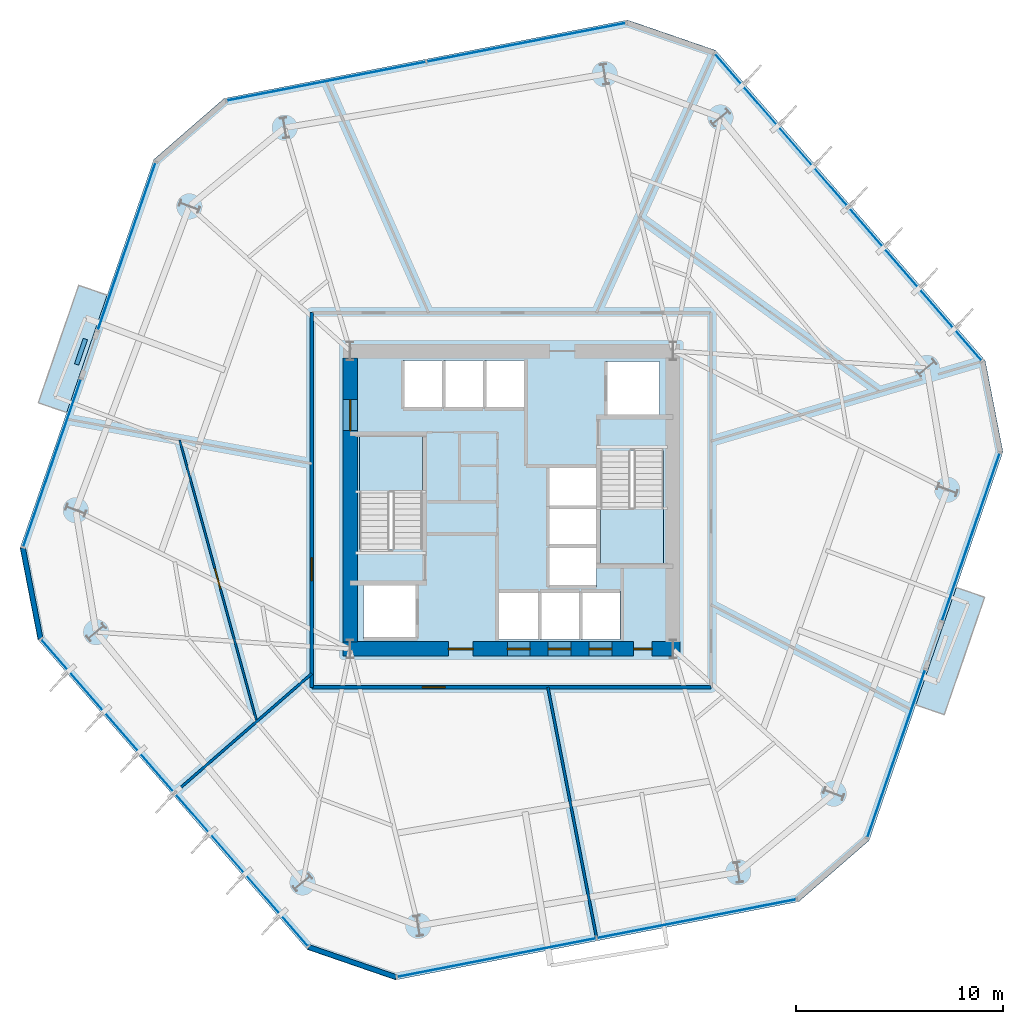
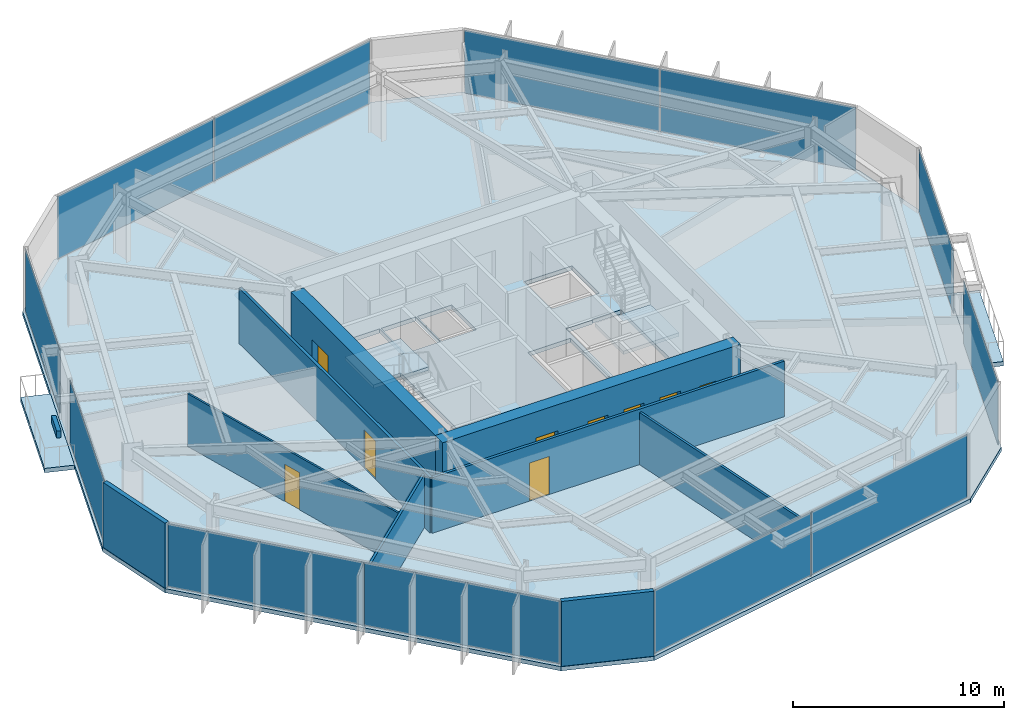
# One storey, part 5 of 10: 12 plates, 10 walls, 9 doors, 5 slabs, 9 openings, 10 elements without a shape of their own.
"""IFC4 building model written with IfcOpenShell, lengths in metres."""

from ifc_helpers import new_model, si_unit, direction, frame, frame_2d, origin, origin_2d, place, context, subcontext, project, spatial, polyline, rectangle, outline, extrude, material, layer, layer_set, type_object, element, fill, aggregate, save


model = new_model("IFC4")

# Units and contexts
model_context = context("Model", 3, precision=1e-05, world=origin(), true_north=direction((0.0, 1.0)))
body_context = subcontext(model_context, "Body", "Model", "MODEL_VIEW")
ifc_project = project(units=[si_unit("LENGTHUNIT", "METRE"), si_unit("AREAUNIT", "SQUARE_METRE"), si_unit("VOLUMEUNIT", "CUBIC_METRE"), si_unit("PLANEANGLEUNIT", "RADIAN"), si_unit("MASSUNIT", "GRAM", prefix="KILO")], contexts=[model_context])

# Site, building, storey
site_placement = place(None, origin())
site = spatial("IfcSite", under=ifc_project, at=site_placement, CompositionType="ELEMENT")
building_placement = place(site_placement, origin())
building = spatial("IfcBuilding", under=site, at=building_placement, Name="Kranzbogen Civic Tower", CompositionType="ELEMENT")
storey_placement = place(building_placement, frame((0.0, 0.0, 64.0)))
storey = spatial("IfcBuildingStorey", under=building, at=storey_placement, Name="L15", CompositionType="ELEMENT", Elevation=64.0)

# Slab
ifc_material_1 = material(Name="Concrete C40/50", Category="concrete")
ifc_layer_1 = layer(ifc_material_1, 0.239990234375, Name="Concrete C40/50")
ifc_layer_set_1 = layer_set([ifc_layer_1], Name="Concrete C40/50")
slab_type_1 = type_object("IfcSlabType", Name="Composite Lower Tower Floor Slab 240 mm", PredefinedType="FLOOR", material=ifc_layer_set_1)
slab_1_placement = place(storey_placement, frame((0.0, 0.0, -0.239990234375)))
element("IfcSlab", 1, at=slab_1_placement, inside=storey, type_object=slab_type_1, Name="L15 tower floor slab", PredefinedType="FLOOR", context=body_context, shape_type="SweptSolid", body=[
    extrude(outline(polyline([(47.89208984375, 31.741943359375), (34.862060546875, 46.73095703125), (30.60693359375, 48.196044921875), (11.111083984375, 44.406005859375), (7.715087890625, 41.4541015625), (1.2490234375, 22.675048828125), (2.10791015625, 18.258056640625), (15.137939453125, 3.26904296875), (19.39306640625, 1.803955078125), (38.888916015625, 5.593994140625), (42.284912109375, 8.5458984375), (48.7509765625, 27.324951171875), (47.89208984375, 31.741943359375)]), holes=[polyline([(26.300048828125, 20.60009765625), (26.300048828125, 18.25), (24.39990234375, 18.25), (24.39990234375, 20.60009765625), (26.300048828125, 20.60009765625)]), polyline([(28.27490234375, 18.25), (26.375, 18.25), (26.375, 20.60009765625), (28.27490234375, 20.60009765625), (28.27490234375, 18.25)]), polyline([(20.449951171875, 18.300048828125), (17.85009765625, 18.300048828125), (17.85009765625, 20.89990234375), (20.449951171875, 20.89990234375), (20.449951171875, 18.300048828125)]), polyline([(20.699951171875, 22.659912109375), (19.25, 22.659912109375), (19.25, 22.60009765625), (17.64990234375, 22.60009765625), (17.64990234375, 28.10009765625), (20.699951171875, 28.10009765625), (20.699951171875, 22.659912109375)]), polyline([(21.64990234375, 29.39990234375), (19.75, 29.39990234375), (19.75, 31.75), (21.64990234375, 31.75), (21.64990234375, 29.39990234375)]), polyline([(23.625, 29.39990234375), (21.72509765625, 29.39990234375), (21.72509765625, 31.75), (23.625, 31.75), (23.625, 29.39990234375)]), polyline([(25.60009765625, 31.75), (25.60009765625, 29.39990234375), (23.699951171875, 29.39990234375), (23.699951171875, 31.75), (25.60009765625, 31.75)]), polyline([(30.25, 18.25), (28.35009765625, 18.25), (28.35009765625, 20.60009765625), (30.25, 20.60009765625), (30.25, 18.25)]), polyline([(29.10009765625, 20.800048828125), (26.75, 20.800048828125), (26.75, 22.699951171875), (29.10009765625, 22.699951171875), (29.10009765625, 20.800048828125)]), polyline([(26.75, 26.550048828125), (29.10009765625, 26.550048828125), (29.10009765625, 24.675048828125), (29.10009765625, 24.64990234375), (29.10009765625, 22.77490234375), (26.75, 22.77490234375), (26.75, 24.64990234375), (26.75, 24.675048828125), (26.75, 26.550048828125)]), polyline([(30.75, 27.340087890625), (30.75, 27.39990234375), (32.35009765625, 27.39990234375), (32.35009765625, 21.89990234375), (29.300048828125, 21.89990234375), (29.300048828125, 27.340087890625), (30.75, 27.340087890625)]), polyline([(32.14990234375, 29.10009765625), (29.550048828125, 29.10009765625), (29.550048828125, 31.699951171875), (32.14990234375, 31.699951171875), (32.14990234375, 29.10009765625)])]), origin(), (0.0, 0.0, 1.0), 0.239990234375),
])

# Curtain wall, plates
ifc_material_2 = material(Name="Pale Anodised Aluminium", Category="aluminium")
ifc_layer_2 = layer(ifc_material_2, 0.219970703125, Name="Pale Anodised Aluminium")
ifc_layer_set_2 = layer_set([ifc_layer_2], Name="Pale Anodised Aluminium")
curtain_wall_type = type_object("IfcCurtainWallType", Name="Zone 1 Stick Curtain Wall System CW-02", PredefinedType="USERDEFINED", material=ifc_layer_set_2)
curtain_wall_1_placement = place(storey_placement, origin())
curtain_wall_1 = element("IfcCurtainWall", 2, at=curtain_wall_1_placement, inside=storey, type_object=curtain_wall_type, Name="L15 curtain wall CW-L15-F1", ObjectType="STICK CURTAIN WALL", PredefinedType="USERDEFINED")
ifc_material_3 = material(Name="Low-E Triple Glazing Glass", Category="glass")
ifc_layer_3 = layer(ifc_material_3, 0.033935546875, Name="Low-E Triple Glazing Glass")
ifc_layer_set_3 = layer_set([ifc_layer_3], Name="Low-E Triple Glazing Glass")
plate_type = type_object("IfcPlateType", Name="Insulated Low-E Glazing Panel 34 mm", PredefinedType="CURTAIN_PANEL", material=ifc_layer_set_3)
plate_1_placement = place(storey_placement, frame((44.509765625, 35.438720703125, 0.06005859375), z_axis=(0.0, 0.0, 1.0), x_axis=(-0.65605582795, 0.754712362833, 0.0)))
plate_1 = element("IfcPlate", 3, at=plate_1_placement, type_object=plate_type, Name="CW-02 panel 1.1", PredefinedType="CURTAIN_PANEL", context=body_context, shape_type="SweptSolid", body=[
    extrude(rectangle(XDim=9.78271484375, YDim=0.028076171875, at=origin_2d()), origin(), (0.0, 0.0, 1.0), 3.639892578125),
])
plate_2_placement = place(storey_placement, frame((38.05224609375, 42.8671875, 0.06005859375), z_axis=(0.0, 0.0, 1.0), x_axis=(-0.65605582795, 0.754712362833, 0.0)))
plate_2 = element("IfcPlate", 4, at=plate_2_placement, type_object=plate_type, Name="CW-02 panel 2.1", PredefinedType="CURTAIN_PANEL", context=body_context, shape_type="SweptSolid", body=[
    extrude(rectangle(XDim=9.78271484375, YDim=0.028076171875, at=origin_2d()), origin(), (0.0, 0.0, 1.0), 3.639892578125),
])
aggregate(curtain_wall_1, [plate_1, plate_2])

curtain_wall_2_placement = place(storey_placement, origin())
curtain_wall_2 = element("IfcCurtainWall", 5, at=curtain_wall_2_placement, inside=storey, type_object=curtain_wall_type, Name="L15 curtain wall CW-L15-F2", ObjectType="STICK CURTAIN WALL", PredefinedType="USERDEFINED")
plate_3_placement = place(storey_placement, frame((25.7138671875, 47.115234375, 0.06005859375), z_axis=(0.0, 0.0, 1.0), x_axis=(-0.98162224226, -0.190834413825, 0.0)))
plate_3 = element("IfcPlate", 6, at=plate_3_placement, type_object=plate_type, Name="CW-02 panel 1.1", PredefinedType="CURTAIN_PANEL", context=body_context, shape_type="SweptSolid", body=[
    extrude(rectangle(XDim=9.782470703125, YDim=0.028076171875, at=origin_2d()), origin(), (0.0, 0.0, 1.0), 3.639892578125),
])
plate_4_placement = place(storey_placement, frame((16.05224609375, 45.23681640625, 0.06005859375), z_axis=(0.0, 0.0, 1.0), x_axis=(-0.98162224226, -0.190834413825, 0.0)))
plate_4 = element("IfcPlate", 7, at=plate_4_placement, type_object=plate_type, Name="CW-02 panel 2.1", PredefinedType="CURTAIN_PANEL", context=body_context, shape_type="SweptSolid", body=[
    extrude(rectangle(XDim=9.782470703125, YDim=0.028076171875, at=origin_2d()), origin(), (0.0, 0.0, 1.0), 3.639892578125),
])
aggregate(curtain_wall_2, [plate_3, plate_4])

# Curtain wall, plate
curtain_wall_3_placement = place(storey_placement, origin())
curtain_wall_3 = element("IfcCurtainWall", 8, at=curtain_wall_3_placement, inside=storey, type_object=curtain_wall_type, Name="L15 curtain wall CW-L15-F3-S1", ObjectType="STICK CURTAIN WALL", PredefinedType="USERDEFINED")
plate_5_placement = place(storey_placement, frame((6.404541015625, 37.257568359375, 0.06005859375), z_axis=(0.0, 0.0, 1.0), x_axis=(-0.325553504006, -0.945523620027, 0.0)))
plate_5 = element("IfcPlate", 9, at=plate_5_placement, type_object=plate_type, Name="CW-02 panel 1.1", PredefinedType="CURTAIN_PANEL", context=body_context, shape_type="SweptSolid", body=[
    extrude(rectangle(XDim=8.55126953125, YDim=0.028076171875, at=origin_2d()), origin(), (0.0, 0.0, 1.0), 3.639892578125),
])
aggregate(curtain_wall_3, [plate_5])

curtain_wall_4_placement = place(storey_placement, origin())
curtain_wall_4 = element("IfcCurtainWall", 10, at=curtain_wall_4_placement, inside=storey, type_object=curtain_wall_type, Name="L15 curtain wall CW-L15-F3-S2", ObjectType="STICK CURTAIN WALL", PredefinedType="USERDEFINED")
plate_6_placement = place(storey_placement, frame((2.800048828125, 26.7890625, 0.06005859375), z_axis=(0.0, 0.0, 1.0), x_axis=(-0.325621094494, -0.945500345225, 0.0)))
plate_6 = element("IfcPlate", 11, at=plate_6_placement, type_object=plate_type, Name="CW-02 panel 1.1", PredefinedType="CURTAIN_PANEL", context=body_context, shape_type="SweptSolid", body=[
    extrude(rectangle(XDim=8.552734375, YDim=0.028076171875, at=origin_2d()), origin(), (0.0, 0.0, 1.0), 3.639892578125),
])
aggregate(curtain_wall_4, [plate_6])

# Curtain wall, plates
curtain_wall_5_placement = place(storey_placement, origin())
curtain_wall_5 = element("IfcCurtainWall", 12, at=curtain_wall_5_placement, inside=storey, type_object=curtain_wall_type, Name="L15 curtain wall CW-L15-F4", ObjectType="STICK CURTAIN WALL", PredefinedType="USERDEFINED")
plate_7_placement = place(storey_placement, frame((5.490234375, 14.561279296875, 0.06005859375), z_axis=(0.0, 0.0, 1.0), x_axis=(0.65605582795, -0.754712362833, 0.0)))
plate_7 = element("IfcPlate", 13, at=plate_7_placement, type_object=plate_type, Name="CW-02 panel 1.1", PredefinedType="CURTAIN_PANEL", context=body_context, shape_type="SweptSolid", body=[
    extrude(rectangle(XDim=9.78271484375, YDim=0.028076171875, at=origin_2d()), origin(), (0.0, 0.0, 1.0), 3.639892578125),
])
plate_8_placement = place(storey_placement, frame((11.94775390625, 7.1328125, 0.06005859375), z_axis=(0.0, 0.0, 1.0), x_axis=(0.65605582795, -0.754712362833, 0.0)))
plate_8 = element("IfcPlate", 14, at=plate_8_placement, type_object=plate_type, Name="CW-02 panel 2.1", PredefinedType="CURTAIN_PANEL", context=body_context, shape_type="SweptSolid", body=[
    extrude(rectangle(XDim=9.78271484375, YDim=0.028076171875, at=origin_2d()), origin(), (0.0, 0.0, 1.0), 3.639892578125),
])
aggregate(curtain_wall_5, [plate_7, plate_8])

curtain_wall_6_placement = place(storey_placement, origin())
curtain_wall_6 = element("IfcCurtainWall", 15, at=curtain_wall_6_placement, inside=storey, type_object=curtain_wall_type, Name="L15 curtain wall CW-L15-F5", ObjectType="STICK CURTAIN WALL", PredefinedType="USERDEFINED")
plate_9_placement = place(storey_placement, frame((24.2861328125, 2.884765625, 0.06005859375), z_axis=(0.0, 0.0, 1.0), x_axis=(0.98162224226, 0.190834413825, 0.0)))
plate_9 = element("IfcPlate", 16, at=plate_9_placement, type_object=plate_type, Name="CW-02 panel 1.1", PredefinedType="CURTAIN_PANEL", context=body_context, shape_type="SweptSolid", body=[
    extrude(rectangle(XDim=9.782470703125, YDim=0.028076171875, at=origin_2d()), origin(), (0.0, 0.0, 1.0), 3.639892578125),
])
plate_10_placement = place(storey_placement, frame((33.94775390625, 4.76318359375, 0.06005859375), z_axis=(0.0, 0.0, 1.0), x_axis=(0.98162224226, 0.190834413825, 0.0)))
plate_10 = element("IfcPlate", 17, at=plate_10_placement, type_object=plate_type, Name="CW-02 panel 2.1", PredefinedType="CURTAIN_PANEL", context=body_context, shape_type="SweptSolid", body=[
    extrude(rectangle(XDim=9.782470703125, YDim=0.028076171875, at=origin_2d()), origin(), (0.0, 0.0, 1.0), 3.639892578125),
])
aggregate(curtain_wall_6, [plate_9, plate_10])

# Curtain wall, plate
curtain_wall_7_placement = place(storey_placement, origin())
curtain_wall_7 = element("IfcCurtainWall", 18, at=curtain_wall_7_placement, inside=storey, type_object=curtain_wall_type, Name="L15 curtain wall CW-L15-F6-S1", ObjectType="STICK CURTAIN WALL", PredefinedType="USERDEFINED")
plate_11_placement = place(storey_placement, frame((43.595458984375, 12.741943359375, 0.06005859375), z_axis=(0.0, 0.0, 1.0), x_axis=(0.325589005836, 0.945511395637, 0.0)))
plate_11 = element("IfcPlate", 19, at=plate_11_placement, type_object=plate_type, Name="CW-02 panel 1.1", PredefinedType="CURTAIN_PANEL", context=body_context, shape_type="SweptSolid", body=[
    extrude(rectangle(XDim=8.550537109375, YDim=0.028076171875, at=origin_2d()), origin(), (0.0, 0.0, 1.0), 3.639892578125),
])
aggregate(curtain_wall_7, [plate_11])

curtain_wall_8_placement = place(storey_placement, origin())
curtain_wall_8 = element("IfcCurtainWall", 20, at=curtain_wall_8_placement, inside=storey, type_object=curtain_wall_type, Name="L15 curtain wall CW-L15-F6-S2", ObjectType="STICK CURTAIN WALL", PredefinedType="USERDEFINED")
plate_12_placement = place(storey_placement, frame((47.199951171875, 23.2109375, 0.06005859375), z_axis=(0.0, 0.0, 1.0), x_axis=(0.325621094494, 0.945500345225, 0.0)))
plate_12 = element("IfcPlate", 21, at=plate_12_placement, type_object=plate_type, Name="CW-02 panel 1.1", PredefinedType="CURTAIN_PANEL", context=body_context, shape_type="SweptSolid", body=[
    extrude(rectangle(XDim=8.552734375, YDim=0.028076171875, at=origin_2d()), origin(), (0.0, 0.0, 1.0), 3.639892578125),
])
aggregate(curtain_wall_8, [plate_12])

# Stair, slab
ifc_material_4 = material(Name="Precast concrete C40/50", Category="concrete")
stair_type_1 = type_object("IfcStairType", Name="Tower Core Pressurized Dogleg Stair 1450", PredefinedType="HALF_TURN_STAIR", material=ifc_material_4)
stair_1_placement = place(storey_placement, origin())
stair_1 = element("IfcStair", 22, at=stair_1_placement, inside=storey, type_object=stair_type_1, Name="L15 Tower Core Pressurized Stair 1", PredefinedType="HALF_TURN_STAIR")
ifc_layer_4 = layer(ifc_material_4, 0.199951171875, Name="Precast concrete C40/50")
ifc_layer_set_4 = layer_set([ifc_layer_4], Name="Precast concrete C40/50")
slab_type_2 = type_object("IfcSlabType", Name="Precast Concrete Stair Landing Slab 200 mm", PredefinedType="LANDING", material=ifc_layer_set_4)
slab_2_placement = place(storey_placement, frame((0.0, 0.0, 1.800048828125)))
slab_2 = element("IfcSlab", 23, at=slab_2_placement, type_object=slab_type_2, Name="ST-T1 landing 1", PredefinedType="LANDING", context=body_context, shape_type="SweptSolid", body=[
    extrude(outline(polyline([(20.699951171875, 25.39990234375), (20.699951171875, 28.10009765625), (17.64990234375, 28.10009765625), (17.64990234375, 25.39990234375), (20.699951171875, 25.39990234375)])), origin(), (0.0, 0.0, 1.0), 0.199951171875),
])
aggregate(stair_1, [slab_2])

stair_type_2 = type_object("IfcStairType", Name="Tower Core Secondary Dogleg Stair 1450", PredefinedType="HALF_TURN_STAIR", material=ifc_material_4)
stair_2_placement = place(storey_placement, origin())
stair_2 = element("IfcStair", 24, at=stair_2_placement, inside=storey, type_object=stair_type_2, Name="L15 Tower Core Pressurized Stair 2", PredefinedType="HALF_TURN_STAIR")
slab_3_placement = place(storey_placement, frame((0.0, 0.0, 1.800048828125)))
slab_3 = element("IfcSlab", 25, at=slab_3_placement, type_object=slab_type_2, Name="ST-T2 landing 1", PredefinedType="LANDING", context=body_context, shape_type="SweptSolid", body=[
    extrude(outline(polyline([(29.300048828125, 24.60009765625), (29.300048828125, 21.89990234375), (32.35009765625, 21.89990234375), (32.35009765625, 24.60009765625), (29.300048828125, 24.60009765625)])), origin(), (0.0, 0.0, 1.0), 0.199951171875),
])
aggregate(stair_2, [slab_3])

# Slabs
ifc_layer_5 = layer(ifc_material_1, 0.25, Name="Concrete C40/50")
ifc_layer_set_5 = layer_set([ifc_layer_5], Name="Concrete C40/50")
slab_type_3 = type_object("IfcSlabType", Name="Tree Balcony Cantilevered Slab 250 mm", PredefinedType="FLOOR", material=ifc_layer_set_5)
slab_4_placement = place(storey_placement, frame((0.0, 0.0, -0.25)))
element("IfcSlab", 26, at=slab_4_placement, inside=storey, type_object=slab_type_3, Name="L15 cantilevered tree balcony L15-TB1", PredefinedType="FLOOR", context=body_context, shape_type="SweptSolid", body=[
    extrude(outline(polyline([(44.541015625, 15.09912109375), (46.493896484375, 20.77197265625), (47.864990234375, 20.300048828125), (45.912109375, 14.626953125), (44.541015625, 15.09912109375)])), origin(), (0.0, 0.0, 1.0), 0.25),
])
slab_5_placement = place(storey_placement, frame((0.0, 0.0, -0.25)))
element("IfcSlab", 27, at=slab_5_placement, inside=storey, type_object=slab_type_3, Name="L15 cantilevered tree balcony L15-TB2", PredefinedType="FLOOR", context=body_context, shape_type="SweptSolid", body=[
    extrude(outline(polyline([(5.458984375, 34.90087890625), (3.506103515625, 29.22802734375), (2.135009765625, 29.699951171875), (4.087890625, 35.373046875), (5.458984375, 34.90087890625)])), origin(), (0.0, 0.0, 1.0), 0.25),
])

# Wall, opening, door
ifc_material_5 = material(Name="Double-Stud Acoustic Gypsum Partition")
ifc_layer_6 = layer(ifc_material_5, 0.14990234375, Name="Double-Stud Acoustic Gypsum Partition")
ifc_layer_set_6 = layer_set([ifc_layer_6], Name="Double-Stud Acoustic Gypsum Partition")
wall_type_1 = type_object("IfcWallType", Name="Acoustic Corridor and Clinical Partition 150 mm", PredefinedType="PARTITIONING", material=ifc_layer_set_6)
wall_1_placement = place(storey_placement, frame((34.64990234375, 15.949951171875, 0.0), z_axis=(0.0, 0.0, 1.0), x_axis=(-1.0, 0.0, 0.0)))
wall_1 = element("IfcWall", 28, at=wall_1_placement, inside=storey, type_object=wall_type_1, Name="L15 corridor partition 03", PredefinedType="PARTITIONING", context=body_context, shape_type="SweptSolid", body=[
    extrude(rectangle(XDim=19.2998046875, YDim=0.14990234375, at=frame_2d((9.64990234375, 0.0))), origin(), (0.0, 0.0, 1.0), 3.2099609375),
])
opening_1_placement = place(wall_1_placement, frame((12.85595703125, 0.0, 0.0)))
opening_1 = element("IfcOpeningElement", 29, at=opening_1_placement, cuts=wall_1, Name="Opening D-COR60", PredefinedType="OPENING", context=body_context, shape_type="SweptSolid", body=[
    extrude(rectangle(XDim=1.10009765625, YDim=2.199951171875, at=frame_2d((0.550048828125, 1.10009765625))), frame((0.0, 0.0849609375, 0.0), z_axis=(0.0, -1.0, 0.0), x_axis=(1.0, 0.0, 0.0)), (0.0, 0.0, 1.0), 0.169921875),
])
ifc_material_6 = material(Name="Oak Timber and Fire Core", Category="wood")
door_type_1 = type_object("IfcDoorType", Name="Corridor Acoustic Fire Door 1100x2200", OperationType="NOTDEFINED", PredefinedType="DOOR", material=ifc_material_6)
door_1_placement = place(opening_1_placement, origin())
door_1 = element("IfcDoor", 30, at=door_1_placement, inside=storey, type_object=door_type_1, Name="L15 Refreshment Galley Pantry door", OperationType="SINGLE_SWING_LEFT", OverallHeight=2.199951171875, OverallWidth=1.10009765625, PredefinedType="DOOR", context=body_context, shape_type="SweptSolid", body=[
    extrude(rectangle(XDim=1.10009765625, YDim=2.199951171875, at=frame_2d((0.550048828125, 1.10009765625))), frame((0.0, 0.02490234375, 0.0), z_axis=(0.0, -1.0, 0.0), x_axis=(1.0, 0.0, 0.0)), (0.0, 0.0, 1.0), 0.050048828125),
])
fill(opening_1, door_1)

wall_2_placement = place(storey_placement, frame((15.35009765625, 15.949951171875, 0.0), z_axis=(0.0, 0.0, 1.0), x_axis=(0.0, 1.0, 0.0)))
wall_2 = element("IfcWall", 31, at=wall_2_placement, inside=storey, type_object=wall_type_1, Name="L15 corridor partition 04", PredefinedType="PARTITIONING", context=body_context, shape_type="SweptSolid", body=[
    extrude(rectangle(XDim=18.10009765625, YDim=0.14990234375, at=frame_2d((9.050048828125, 0.0))), origin(), (0.0, 0.0, 1.0), 3.2099609375),
])
opening_2_placement = place(wall_2_placement, frame((5.14990234375, 0.0, 0.0)))
opening_2 = element("IfcOpeningElement", 32, at=opening_2_placement, cuts=wall_2, Name="Opening D-COR60", PredefinedType="OPENING", context=body_context, shape_type="SweptSolid", body=[
    extrude(rectangle(XDim=1.10009765625, YDim=2.199951171875, at=frame_2d((0.550048828125, 1.10009765625))), frame((0.0, 0.0849609375, 0.0), z_axis=(0.0, -1.0, 0.0), x_axis=(1.0, 0.0, 0.0)), (0.0, 0.0, 1.0), 0.169921875),
])
door_2_placement = place(opening_2_placement, origin())
door_2 = element("IfcDoor", 33, at=door_2_placement, inside=storey, type_object=door_type_1, Name="L15 Ministerial Policy Office door", OperationType="SINGLE_SWING_LEFT", OverallHeight=2.199951171875, OverallWidth=1.10009765625, PredefinedType="DOOR", context=body_context, shape_type="SweptSolid", body=[
    extrude(rectangle(XDim=1.10009765625, YDim=2.199951171875, at=frame_2d((0.550048828125, 1.10009765625))), frame((0.0, 0.02490234375, 0.0), z_axis=(0.0, -1.0, 0.0), x_axis=(1.0, 0.0, 0.0)), (0.0, 0.0, 1.0), 0.050048828125),
])
fill(opening_2, door_2)

# Walls
ifc_material_7 = material(Name="Insulated Metal-Stud Gypsum Partition")
ifc_layer_7 = layer(ifc_material_7, 0.125, Name="Insulated Metal-Stud Gypsum Partition")
ifc_layer_set_7 = layer_set([ifc_layer_7], Name="Insulated Metal-Stud Gypsum Partition")
wall_type_2 = type_object("IfcWallType", Name="Acoustic Inter-Room Partition 125 mm", PredefinedType="PARTITIONING", material=ifc_layer_set_7)
wall_3_placement = place(storey_placement, frame((15.35009765625, 16.611083984375, 0.0), z_axis=(0.0, 0.0, 1.0), x_axis=(-0.754759550248, -0.65600154063, 0.0)))
element("IfcWall", 34, at=wall_3_placement, inside=storey, type_object=wall_type_2, Name="L15 radial room partition 04", PredefinedType="PARTITIONING", context=body_context, shape_type="SweptSolid", body=[
    extrude(rectangle(XDim=8.7685546875, YDim=0.125, at=frame_2d((4.38427734375, 0.0))), origin(), (0.0, 0.0, 1.0), 3.06005859375),
])
wall_4_placement = place(storey_placement, frame((26.759033203125, 15.949951171875, 0.0), z_axis=(0.0, 0.0, 1.0), x_axis=(0.190830458369, -0.981623011221, 0.0)))
element("IfcWall", 35, at=wall_4_placement, inside=storey, type_object=wall_type_2, Name="L15 radial room partition 05", PredefinedType="PARTITIONING", context=body_context, shape_type="SweptSolid", body=[
    extrude(rectangle(XDim=12.335693359375, YDim=0.125, at=frame_2d((6.16796875, 0.0))), origin(), (0.0, 0.0, 1.0), 3.02001953125),
])
ifc_material_8 = material(Name="Architectural Precast Terracotta Concrete C40/50", Category="masonry")
ifc_layer_8 = layer(ifc_material_8, 0.219970703125, Name="Architectural Precast Terracotta Concrete C40/50")
ifc_layer_set_8 = layer_set([ifc_layer_8], Name="Architectural Precast Terracotta Concrete C40/50")
wall_type_3 = type_object("IfcWallType", Name="Architectural Tree Planter Kerb Wall 220 mm", PredefinedType="USERDEFINED", material=ifc_layer_set_8)
wall_5_placement = place(storey_placement, frame((4.406982421875, 32.779052734375, 0.0), z_axis=(0.0, 0.0, 1.0), x_axis=(-0.325950201404, -0.945386939938, 0.0)))
element("IfcWall", 36, at=wall_5_placement, inside=storey, type_object=wall_type_3, Name="L15 landscaped tree balcony planter L15-TB2", ObjectType="PLANTER_WALL", PredefinedType="USERDEFINED", context=body_context, shape_type="SweptSolid", body=[
    extrude(rectangle(XDim=1.301025390625, YDim=0.219970703125, at=frame_2d((0.650390625, 0.0))), origin(), (0.0, 0.0, 1.0), 0.39990234375),
])

# Wall, openings, doors
ifc_material_9 = material(Name="Concrete C55/67", Category="concrete")
ifc_layer_9 = layer(ifc_material_9, 0.699951171875, Name="Concrete C55/67")
ifc_layer_set_9 = layer_set([ifc_layer_9], Name="Concrete C55/67")
wall_type_4 = type_object("IfcWallType", Name="Central Core Shear Wall 700 mm", PredefinedType="SHEAR", material=ifc_layer_set_9)
wall_6_placement = place(storey_placement, frame((16.85009765625, 17.800048828125, 0.0), z_axis=(0.0, 0.0, 1.0), x_axis=(1.0, 0.0, 0.0)))
wall_6 = element("IfcWall", 37, at=wall_6_placement, inside=storey, type_object=wall_type_4, Name="L15 central core South shear wall", PredefinedType="SHEAR", context=body_context, shape_type="SweptSolid", body=[
    extrude(rectangle(XDim=16.2998046875, YDim=0.699951171875, at=frame_2d((8.14990234375, 0.0))), origin(), (0.0, 0.0, 1.0), 3.760009765625),
])
opening_3_placement = place(wall_6_placement, frame((5.10009765625, 0.0, 0.0)))
opening_3 = element("IfcOpeningElement", 38, at=opening_3_placement, cuts=wall_6, Name="Opening D-EX120", PredefinedType="OPENING", context=body_context, shape_type="SweptSolid", body=[
    extrude(rectangle(XDim=1.199951171875, YDim=2.25, at=frame_2d((0.60009765625, 1.125))), frame((0.0, 0.35986328125, 0.0), z_axis=(0.0, -1.0, 0.0), x_axis=(1.0, 0.0, 0.0)), (0.0, 0.0, 1.0), 0.719970703125),
])
opening_4_placement = place(wall_6_placement, frame((14.050048828125, 0.0, 0.0)))
opening_4 = element("IfcOpeningElement", 39, at=opening_4_placement, cuts=wall_6, Name="Opening D-WC90", PredefinedType="OPENING", context=body_context, shape_type="SweptSolid", body=[
    extrude(rectangle(XDim=0.89990234375, YDim=2.10009765625, at=frame_2d((0.449951171875, 1.050048828125))), frame((0.0, 0.35986328125, 0.0), z_axis=(0.0, -1.0, 0.0), x_axis=(1.0, 0.0, 0.0)), (0.0, 0.0, 1.0), 0.719970703125),
])
opening_5_placement = place(wall_6_placement, frame((7.949951171875, 0.0, 0.0)))
opening_5 = element("IfcOpeningElement", 40, at=opening_5_placement, cuts=wall_6, Name="Opening LD-LP-01", PredefinedType="OPENING", context=body_context, shape_type="SweptSolid", body=[
    extrude(rectangle(XDim=1.10009765625, YDim=2.199951171875, at=frame_2d((0.550048828125, 1.10009765625))), frame((0.0, 0.35986328125, 0.0), z_axis=(0.0, -1.0, 0.0), x_axis=(1.0, 0.0, 0.0)), (0.0, 0.0, 1.0), 0.719970703125),
])
opening_6_placement = place(wall_6_placement, frame((9.925048828125, 0.0, 0.0)))
opening_6 = element("IfcOpeningElement", 41, at=opening_6_placement, cuts=wall_6, Name="Opening LD-LP-02", PredefinedType="OPENING", context=body_context, shape_type="SweptSolid", body=[
    extrude(rectangle(XDim=1.10009765625, YDim=2.199951171875, at=frame_2d((0.550048828125, 1.10009765625))), frame((0.0, 0.35986328125, 0.0), z_axis=(0.0, -1.0, 0.0), x_axis=(1.0, 0.0, 0.0)), (0.0, 0.0, 1.0), 0.719970703125),
])
opening_7_placement = place(wall_6_placement, frame((11.89990234375, 0.0, 0.0)))
opening_7 = element("IfcOpeningElement", 42, at=opening_7_placement, cuts=wall_6, Name="Opening LD-LP-03", PredefinedType="OPENING", context=body_context, shape_type="SweptSolid", body=[
    extrude(rectangle(XDim=1.10009765625, YDim=2.199951171875, at=frame_2d((0.550048828125, 1.10009765625))), frame((0.0, 0.35986328125, 0.0), z_axis=(0.0, -1.0, 0.0), x_axis=(1.0, 0.0, 0.0)), (0.0, 0.0, 1.0), 0.719970703125),
])
ifc_material_10 = material(Name="Steel S355", Category="steel")
door_type_2 = type_object("IfcDoorType", Name="Exit Passageway Fire Door 1200x2250", OperationType="NOTDEFINED", PredefinedType="DOOR", material=ifc_material_10)
door_3_placement = place(opening_3_placement, origin())
door_3 = element("IfcDoor", 43, at=door_3_placement, inside=storey, type_object=door_type_2, Name="L15 West firefighting lobby corridor door", OperationType="SINGLE_SWING_RIGHT", OverallHeight=2.25, OverallWidth=1.199951171875, PredefinedType="DOOR", context=body_context, shape_type="SweptSolid", body=[
    extrude(rectangle(XDim=1.199951171875, YDim=2.25, at=frame_2d((0.60009765625, 1.125))), frame((0.0, 0.02490234375, 0.0), z_axis=(0.0, -1.0, 0.0), x_axis=(1.0, 0.0, 0.0)), (0.0, 0.0, 1.0), 0.050048828125),
])
fill(opening_3, door_3)
door_type_3 = type_object("IfcDoorType", Name="Passenger Lift Sliding Landing Door 1100x2200", OperationType="DOUBLE_DOOR_SLIDING", PredefinedType="DOOR", material=ifc_material_2)
door_4_placement = place(opening_5_placement, origin())
door_4 = element("IfcDoor", 44, at=door_4_placement, inside=storey, type_object=door_type_3, Name="L15 lift LP-01 sliding landing door", OperationType="DOUBLE_DOOR_SLIDING", OverallHeight=2.199951171875, OverallWidth=1.10009765625, PredefinedType="DOOR", context=body_context, shape_type="SweptSolid", body=[
    extrude(rectangle(XDim=1.10009765625, YDim=2.199951171875, at=frame_2d((0.550048828125, 1.10009765625))), frame((0.0, 0.02490234375, 0.0), z_axis=(0.0, -1.0, 0.0), x_axis=(1.0, 0.0, 0.0)), (0.0, 0.0, 1.0), 0.050048828125),
])
fill(opening_5, door_4)
door_5_placement = place(opening_6_placement, origin())
door_5 = element("IfcDoor", 45, at=door_5_placement, inside=storey, type_object=door_type_3, Name="L15 lift LP-02 sliding landing door", OperationType="DOUBLE_DOOR_SLIDING", OverallHeight=2.199951171875, OverallWidth=1.10009765625, PredefinedType="DOOR", context=body_context, shape_type="SweptSolid", body=[
    extrude(rectangle(XDim=1.10009765625, YDim=2.199951171875, at=frame_2d((0.550048828125, 1.10009765625))), frame((0.0, 0.02490234375, 0.0), z_axis=(0.0, -1.0, 0.0), x_axis=(1.0, 0.0, 0.0)), (0.0, 0.0, 1.0), 0.050048828125),
])
fill(opening_6, door_5)
door_6_placement = place(opening_7_placement, origin())
door_6 = element("IfcDoor", 46, at=door_6_placement, inside=storey, type_object=door_type_3, Name="L15 lift LP-03 sliding landing door", OperationType="DOUBLE_DOOR_SLIDING", OverallHeight=2.199951171875, OverallWidth=1.10009765625, PredefinedType="DOOR", context=body_context, shape_type="SweptSolid", body=[
    extrude(rectangle(XDim=1.10009765625, YDim=2.199951171875, at=frame_2d((0.550048828125, 1.10009765625))), frame((0.0, 0.02490234375, 0.0), z_axis=(0.0, -1.0, 0.0), x_axis=(1.0, 0.0, 0.0)), (0.0, 0.0, 1.0), 0.050048828125),
])
fill(opening_7, door_6)
ifc_material_11 = material(Name="Moisture-Resistant Laminate")
door_type_4 = type_object("IfcDoorType", Name="Standard Restroom and Store Door 900x2100", OperationType="NOTDEFINED", PredefinedType="DOOR", material=ifc_material_11)
door_7_placement = place(opening_4_placement, origin())
door_7 = element("IfcDoor", 47, at=door_7_placement, inside=storey, type_object=door_type_4, Name="L15 East electrical riser access door", OperationType="SINGLE_SWING_RIGHT", OverallHeight=2.10009765625, OverallWidth=0.89990234375, PredefinedType="DOOR", context=body_context, shape_type="SweptSolid", body=[
    extrude(rectangle(XDim=0.89990234375, YDim=2.10009765625, at=frame_2d((0.449951171875, 1.050048828125))), frame((0.0, 0.02490234375, 0.0), z_axis=(0.0, -1.0, 0.0), x_axis=(1.0, 0.0, 0.0)), (0.0, 0.0, 1.0), 0.050048828125),
])
fill(opening_4, door_7)

# Wall, opening, door
wall_7_placement = place(storey_placement, frame((17.199951171875, 31.85009765625, 0.0), z_axis=(0.0, 0.0, 1.0), x_axis=(0.0, -1.0, 0.0)))
wall_7 = element("IfcWall", 48, at=wall_7_placement, inside=storey, type_object=wall_type_4, Name="L15 central core West shear wall", PredefinedType="SHEAR", context=body_context, shape_type="SweptSolid", body=[
    extrude(rectangle(XDim=13.7001953125, YDim=0.699951171875, at=frame_2d((6.85009765625, 0.0))), origin(), (0.0, 0.0, 1.0), 3.760009765625),
])
opening_8_placement = place(wall_7_placement, frame((2.0, 0.0, 0.0)))
opening_8 = element("IfcOpeningElement", 49, at=opening_8_placement, cuts=wall_7, Name="Opening D-DBL15", PredefinedType="OPENING", context=body_context, shape_type="SweptSolid", body=[
    extrude(rectangle(XDim=1.5, YDim=2.199951171875, at=frame_2d((0.75, 1.10009765625))), frame((0.0, 0.35986328125, 0.0), z_axis=(0.0, -1.0, 0.0), x_axis=(1.0, 0.0, 0.0)), (0.0, 0.0, 1.0), 0.719970703125),
])
ifc_material_12 = material(Name="Anodised Bronze and Glass", Category="glass")
door_type_5 = type_object("IfcDoorType", Name="Civic Lobby Double Door 1500x2200", OperationType="DOUBLE_DOOR_SINGLE_SWING", PredefinedType="DOOR", material=ifc_material_12)
door_8_placement = place(opening_8_placement, origin())
door_8 = element("IfcDoor", 50, at=door_8_placement, inside=storey, type_object=door_type_5, Name="L15 Central Lift Lobby West concourse door", OperationType="DOUBLE_DOOR_SINGLE_SWING", OverallHeight=2.199951171875, OverallWidth=1.5, PredefinedType="DOOR", context=body_context, shape_type="SweptSolid", body=[
    extrude(rectangle(XDim=1.5, YDim=2.199951171875, at=frame_2d((0.75, 1.10009765625))), frame((0.0, 0.02490234375, 0.0), z_axis=(0.0, -1.0, 0.0), x_axis=(1.0, 0.0, 0.0)), (0.0, 0.0, 1.0), 0.050048828125),
])
fill(opening_8, door_8)

ifc_material_13 = material(Name="Demountable Aluminium and Gypsum Partition", Category="aluminium")
ifc_layer_10 = layer(ifc_material_13, 0.10009765625, Name="Demountable Aluminium and Gypsum Partition")
ifc_layer_set_10 = layer_set([ifc_layer_10], Name="Demountable Aluminium and Gypsum Partition")
wall_type_5 = type_object("IfcWallType", Name="Demountable Office Partition 100 mm", PredefinedType="MOVABLE", material=ifc_layer_set_10)
wall_8_placement = place(storey_placement, frame((8.962890625, 27.902099609375, 0.0), z_axis=(0.0, 0.0, 1.0), x_axis=(0.264277102177, -0.964446791308, 0.0)))
wall_8 = element("IfcWall", 51, at=wall_8_placement, inside=storey, type_object=wall_type_5, Name="L15 suite chord partition 01", PredefinedType="MOVABLE", context=body_context, shape_type="SweptSolid", body=[
    extrude(rectangle(XDim=14.088134765625, YDim=0.10009765625, at=frame_2d((7.0439453125, 0.0))), origin(), (0.0, 0.0, 1.0), 3.050048828125),
])
opening_9_placement = place(wall_8_placement, frame((6.4541015625, 0.0, 0.0)))
opening_9 = element("IfcOpeningElement", 52, at=opening_9_placement, cuts=wall_8, Name="Opening D-OFC10", PredefinedType="OPENING", context=body_context, shape_type="SweptSolid", body=[
    extrude(rectangle(XDim=1.0, YDim=2.14990234375, at=frame_2d((0.5, 1.074951171875))), frame((0.0, 0.06005859375, 0.0), z_axis=(0.0, -1.0, 0.0), x_axis=(1.0, 0.0, 0.0)), (0.0, 0.0, 1.0), 0.1201171875),
])
ifc_material_14 = material(Name="Oak Timber Veneer", Category="wood")
door_type_6 = type_object("IfcDoorType", Name="Standard Office Acoustic Door 1000x2150", OperationType="NOTDEFINED", PredefinedType="DOOR", material=ifc_material_14)
door_9_placement = place(opening_9_placement, origin())
door_9 = element("IfcDoor", 53, at=door_9_placement, inside=storey, type_object=door_type_6, Name="L15 Directorate Admin Workspace door", OperationType="SINGLE_SWING_RIGHT", OverallHeight=2.14990234375, OverallWidth=1.0, PredefinedType="DOOR", context=body_context, shape_type="SweptSolid", body=[
    extrude(rectangle(XDim=1.0, YDim=2.14990234375, at=frame_2d((0.5, 1.074951171875))), frame((0.0, 0.02490234375, 0.0), z_axis=(0.0, -1.0, 0.0), x_axis=(1.0, 0.0, 0.0)), (0.0, 0.0, 1.0), 0.050048828125),
])
fill(opening_9, door_9)

# Walls
ifc_layer_11 = layer(ifc_material_2, 0.239990234375, Name="Pale Anodised Aluminium")
ifc_layer_set_11 = layer_set([ifc_layer_11], Name="Pale Anodised Aluminium")
wall_type_6 = type_object("IfcWallType", Name="Insulated Aluminium Facade Portal Wall 240 mm", PredefinedType="STANDARD", material=ifc_layer_set_11)
wall_9_placement = place(storey_placement, frame((1.387939453125, 22.68896484375, 0.0), z_axis=(0.0, 0.0, 1.0), x_axis=(0.190917867073, -0.981606014668, 0.0)))
element("IfcWall", 54, at=wall_9_placement, inside=storey, type_object=wall_type_6, Name="L15 chamfered corner facade spandrel 3", PredefinedType="STANDARD", context=body_context, shape_type="SweptSolid", body=[
    extrude(rectangle(XDim=4.47314453125, YDim=0.239990234375, at=frame_2d((2.236572265625, 0.0))), origin(), (0.0, 0.0, 1.0), 3.760009765625),
])
wall_10_placement = place(storey_placement, frame((15.196044921875, 3.39599609375, 0.0), z_axis=(0.0, 0.0, 1.0), x_axis=(0.945549150447, -0.325479345104, 0.0)))
element("IfcWall", 55, at=wall_10_placement, inside=storey, type_object=wall_type_6, Name="L15 chamfered corner facade spandrel 4", PredefinedType="STANDARD", context=body_context, shape_type="SweptSolid", body=[
    extrude(rectangle(XDim=4.4736328125, YDim=0.239990234375, at=frame_2d((2.23681640625, 0.0))), origin(), (0.0, 0.0, 1.0), 3.760009765625),
])

save(model, "model.ifc")
